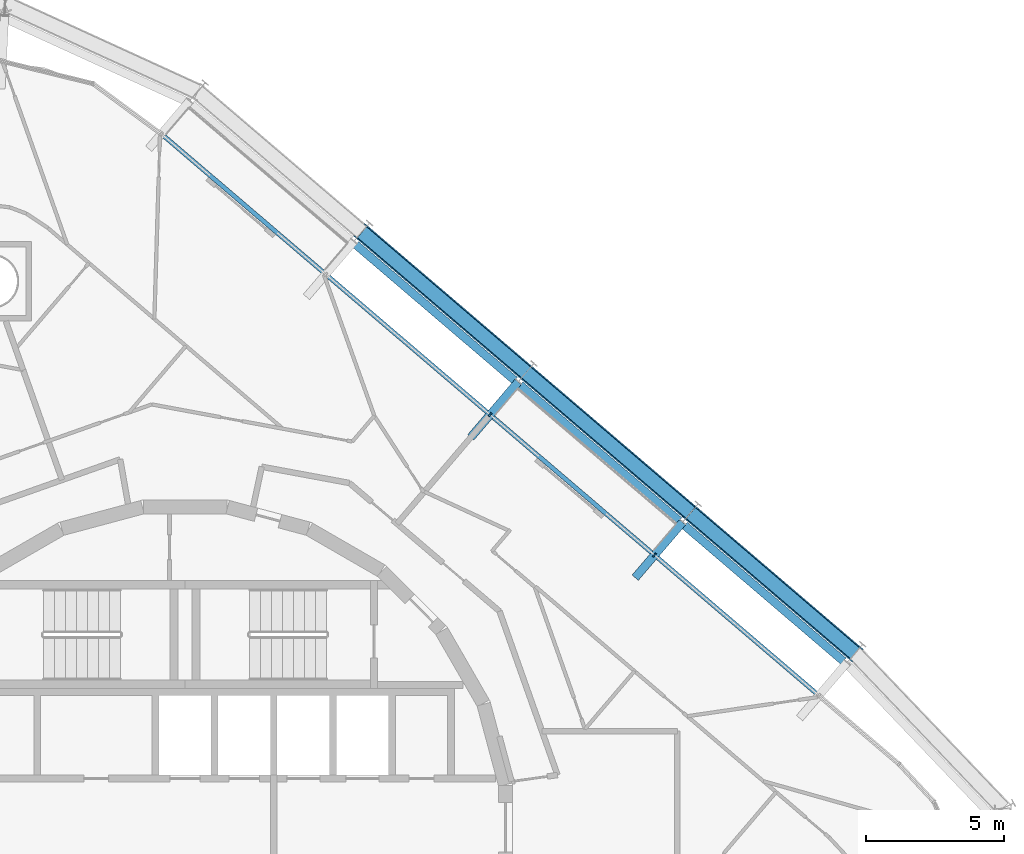
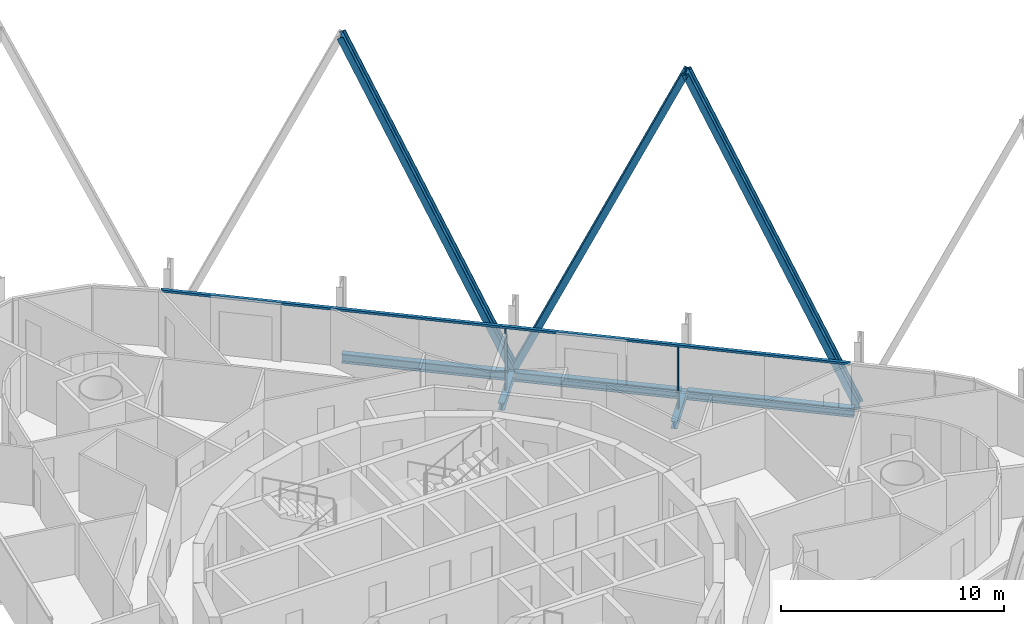
# One storey, part 8 of 17: 6 members, 5 beams, 1 element without a shape of its own.
"""IFC4 building model written with IfcOpenShell, lengths in metres."""

from ifc_helpers import new_model, si_unit, direction, frame, origin, origin_2d, place, context, subcontext, project, spatial, rectangle, i_section, extrude, material, layer, layer_set, material_profile, profile_set, type_object, element, aggregate, save


model = new_model("IFC4")

# Units and contexts
model_context = context("Model", 3, precision=1e-05, world=origin(), true_north=direction((0.0, 1.0)))
body_context = subcontext(model_context, "Body", "Model", "MODEL_VIEW")
ifc_project = project(units=[si_unit("LENGTHUNIT", "METRE"), si_unit("AREAUNIT", "SQUARE_METRE"), si_unit("VOLUMEUNIT", "CUBIC_METRE"), si_unit("PLANEANGLEUNIT", "RADIAN"), si_unit("MASSUNIT", "GRAM", prefix="KILO")], contexts=[model_context])

# Site, building, storey
site_placement = place(None, origin())
site = spatial("IfcSite", under=ifc_project, at=site_placement, CompositionType="ELEMENT")
building_placement = place(site_placement, origin())
building = spatial("IfcBuilding", under=site, at=building_placement, Name="Spindle Arch Residences", CompositionType="ELEMENT")
storey_placement = place(building_placement, frame((0.0, 0.0, 165.699951171875)))
storey = spatial("IfcBuildingStorey", under=building, at=storey_placement, Name="L41", CompositionType="ELEMENT", Elevation=165.699951171875)

# Curtain wall, members
ifc_material_1 = material(Name="Aluminium bronze unitised frame with tinted glass", Category="aluminium")
ifc_layer = layer(ifc_material_1, 0.159912109375)
ifc_layer_set = layer_set([ifc_layer], Name="CW-C typical residential unitised wall")
curtain_wall_type = type_object("IfcCurtainWallType", Name="CW-C typical residential unitised wall", PredefinedType="NOTDEFINED", material=ifc_layer_set)
curtain_wall_placement = place(storey_placement, origin())
curtain_wall = element("IfcCurtainWall", 1, at=curtain_wall_placement, inside=storey, type_object=curtain_wall_type, Name="CW-C L41 run 2", PredefinedType="NOTDEFINED")
ifc_material_2 = material(Name="Aluminium bronze anodised mullion", Category="aluminium")
ifc_material_profile_1 = material_profile(ifc_material_2, rectangle(XDim=0.159912109375, YDim=0.06005859375, at=origin_2d()), Name="MU 60x160")
ifc_profile_set_1 = profile_set([ifc_material_profile_1], Name="Aluminium bronze anodised mullion")
member_type_1 = type_object("IfcMemberType", Name="Bronze mullion 60x160", PredefinedType="MULLION", material=ifc_profile_set_1)
member_1_placement = place(storey_placement, frame((17.06884765625, 9.8994140625, -0.3798828125), z_axis=(0.0, 0.0, 1.0), x_axis=(-0.64944804833, -0.7604059656, 0.0)))
member_1 = element("IfcMember", 2, at=member_1_placement, type_object=member_type_1, Name="CW-C mullion 06", PredefinedType="MULLION", context=body_context, shape_type="SweptSolid", body=[
    extrude(rectangle(XDim=0.159912109375, YDim=0.06005859375, at=origin_2d()), origin(), (0.0, 0.0, 1.0), 3.3798828125),
])
member_2_placement = place(storey_placement, frame((11.092041015625, 15.004150390625, -0.3798828125), z_axis=(0.0, 0.0, 1.0), x_axis=(-0.64944804833, -0.7604059656, 0.0)))
member_2 = element("IfcMember", 3, at=member_2_placement, type_object=member_type_1, Name="CW-C mullion 07", PredefinedType="MULLION", context=body_context, shape_type="SweptSolid", body=[
    extrude(rectangle(XDim=0.159912109375, YDim=0.06005859375, at=origin_2d()), origin(), (0.0, 0.0, 1.0), 3.3798828125),
])
ifc_material_3 = material(Name="Aluminium bronze anodised transom", Category="aluminium")
ifc_material_profile_2 = material_profile(ifc_material_3, rectangle(XDim=0.159912109375, YDim=0.1201171875, at=origin_2d()), Name="TR 120x160")
ifc_profile_set_2 = profile_set([ifc_material_profile_2], Name="Aluminium bronze anodised transom")
member_type_2 = type_object("IfcMemberType", Name="Bronze transom 120x160", PredefinedType="USERDEFINED", material=ifc_profile_set_2)
member_3_placement = place(storey_placement, frame((23.02294921875, 4.814208984375, 3.06005859375), z_axis=(-0.760406495952, 0.649447427368, 0.0), x_axis=(-0.649447427368, -0.760406495952, 0.0)))
member_3 = element("IfcMember", 4, at=member_3_placement, type_object=member_type_2, Name="CW-C transom 00", ObjectType="TRANSOM", PredefinedType="USERDEFINED", context=body_context, shape_type="SweptSolid", body=[
    extrude(rectangle(XDim=0.159912109375, YDim=0.1201171875, at=origin_2d()), origin(), (0.0, 0.0, 1.0), 31.38037109375),
])
aggregate(curtain_wall, [member_3, member_1, member_2])

# Members
ifc_material_4 = material(Name="Steel S460ML, intumescent coating R 240", Category="steel")
ifc_material_profile_3 = material_profile(ifc_material_4, i_section(OverallWidth=0.304931640625, OverallDepth=0.6201171875, WebThickness=0.02099609375, FlangeThickness=0.0400390625, FilletRadius=0.027099609375, at=origin_2d()), Name="HEM 600")
ifc_profile_set_3 = profile_set([ifc_material_profile_3], Name="Steel S460ML, intumescent coating R 240")
member_type_3 = type_object("IfcMemberType", Name="Diagrid diagonal HEM 600", PredefinedType="BRACE", material=ifc_profile_set_3)
for number, where, z_axis, x_axis, name in (
    (5, (24.357666015625, 6.330810546875, -0.6298828125), (-0.314957768267, 0.268991584702, 0.910189612975), (0.692122034892, -0.591111005129, 0.414191825646), "Diagrid diagonal 4.2.6"),
    (6, (12.40380859375, 16.540283203125, -0.6298828125), (0.3149461795, -0.268992674611, 0.910193300911), (-0.69211291511, 0.59112736171, 0.414183721283), "Diagrid diagonal 4.2.7"),
    (7, (12.40380859375, 16.540283203125, -0.6298828125), (-0.3149461795, 0.268992674611, 0.910193300911), (0.69211291511, -0.59112736171, 0.414183721283), "Diagrid diagonal 4.2.8"),
):
    element("IfcMember", number, at=place(storey_placement, frame(where, z_axis=z_axis, x_axis=x_axis)), inside=storey, type_object=member_type_3, Name=name, PredefinedType="BRACE", context=body_context, shape_type="SweptSolid", body=[
        extrude(i_section(OverallWidth=0.304931640625, OverallDepth=0.6201171875, WebThickness=0.02099609375, FlangeThickness=0.0400390625, FilletRadius=0.027099609375, at=origin_2d()), origin(), (0.0, 0.0, 1.0), 18.977294921875),
    ])

# Beams
ifc_material_5 = material(Name="Steel S460ML, intumescent coating R 120", Category="steel")
ifc_material_profile_4 = material_profile(ifc_material_5, i_section(OverallWidth=0.300048828125, OverallDepth=0.5, WebThickness=0.014404296875, FlangeThickness=0.028076171875, FilletRadius=0.027099609375, at=origin_2d()), Name="HEB 500")
ifc_profile_set_4 = profile_set([ifc_material_profile_4], Name="Steel S460ML, intumescent coating R 120")
beam_type_1 = type_object("IfcBeamType", Name="Exoskeleton edge beam HEB 500", PredefinedType="BEAM", material=ifc_profile_set_4)
for number, where, z_axis, x_axis, name in (
    (8, (23.9404296875, 6.04248046875, -0.6298828125), (-0.760389211598, 0.649467664234, 0.0), (-0.649467664234, -0.760389211598, 0.0), "Exoskeleton edge beam 6"),
    (9, (17.963623046875, 11.147216796875, -0.6298828125), (-0.760389211598, 0.649467664234, 0.0), (-0.649467664234, -0.760389211598, 0.0), "Exoskeleton edge beam 7"),
):
    element("IfcBeam", number, at=place(storey_placement, frame(where, z_axis=z_axis, x_axis=x_axis)), inside=storey, type_object=beam_type_1, Name=name, PredefinedType="BEAM", context=body_context, shape_type="SweptSolid", body=[
        extrude(i_section(OverallWidth=0.300048828125, OverallDepth=0.5, WebThickness=0.014404296875, FlangeThickness=0.028076171875, FilletRadius=0.027099609375, at=origin_2d()), origin(), (0.0, 0.0, 1.0), 7.60009765625),
    ])
beam_placement = place(storey_placement, frame((11.98681640625, 16.251953125, -0.6298828125), z_axis=(-0.760402760949, 0.649451800476, 0.0), x_axis=(-0.649451800476, -0.760402760949, 0.0)))
element("IfcBeam", 10, at=beam_placement, inside=storey, type_object=beam_type_1, Name="Exoskeleton edge beam 8", PredefinedType="BEAM", context=body_context, shape_type="SweptSolid", body=[
    extrude(i_section(OverallWidth=0.300048828125, OverallDepth=0.5, WebThickness=0.014404296875, FlangeThickness=0.028076171875, FilletRadius=0.027099609375, at=origin_2d()), origin(), (0.0, 0.0, 1.0), 7.600341796875),
])
ifc_material_6 = material(Name="Steel S460ML, intumescent coating R 120", Category="steel")
ifc_material_profile_5 = material_profile(ifc_material_6, i_section(OverallWidth=0.300048828125, OverallDepth=0.389892578125, WebThickness=0.010986328125, FlangeThickness=0.01904296875, FilletRadius=0.027099609375, at=origin_2d()), Name="HEA 400")
ifc_profile_set_5 = profile_set([ifc_material_profile_5], Name="Steel S460ML, intumescent coating R 120")
beam_type_2 = type_object("IfcBeamType", Name="Floor outrigger HEA 400", PredefinedType="BEAM", material=ifc_profile_set_5)
for number, where, z_axis, x_axis, name in (
    (11, (18.08837890625, 11.09326171875, -0.574951171875), (-0.64941704551, -0.760432443417, 0.0), (0.760432443417, -0.64941704551, 0.0), "Floor outrigger 7"),
    (12, (12.111572265625, 16.197998046875, -0.574951171875), (-0.64941704551, -0.760432443417, 0.0), (0.760432443417, -0.64941704551, 0.0), "Floor outrigger 8"),
):
    element("IfcBeam", number, at=place(storey_placement, frame(where, z_axis=z_axis, x_axis=x_axis)), inside=storey, type_object=beam_type_2, Name=name, PredefinedType="BEAM", context=body_context, shape_type="SweptSolid", body=[
        extrude(i_section(OverallWidth=0.300048828125, OverallDepth=0.389892578125, WebThickness=0.010986328125, FlangeThickness=0.01904296875, FilletRadius=0.027099609375, at=origin_2d()), origin(), (0.0, 0.0, 1.0), 2.64990234375),
    ])

save(model, "model.ifc")
